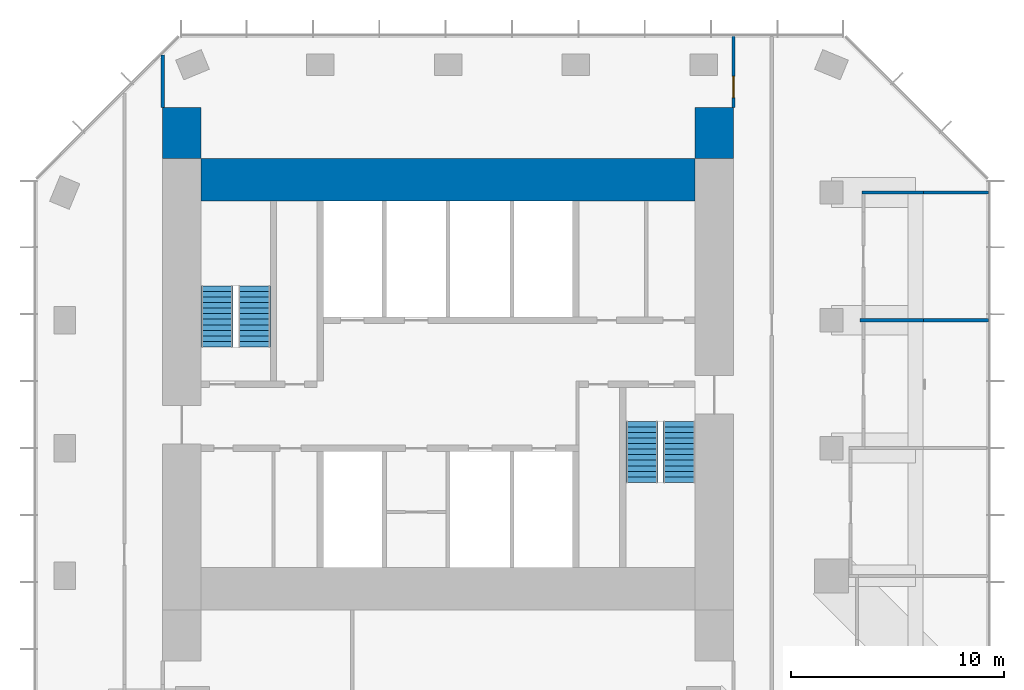
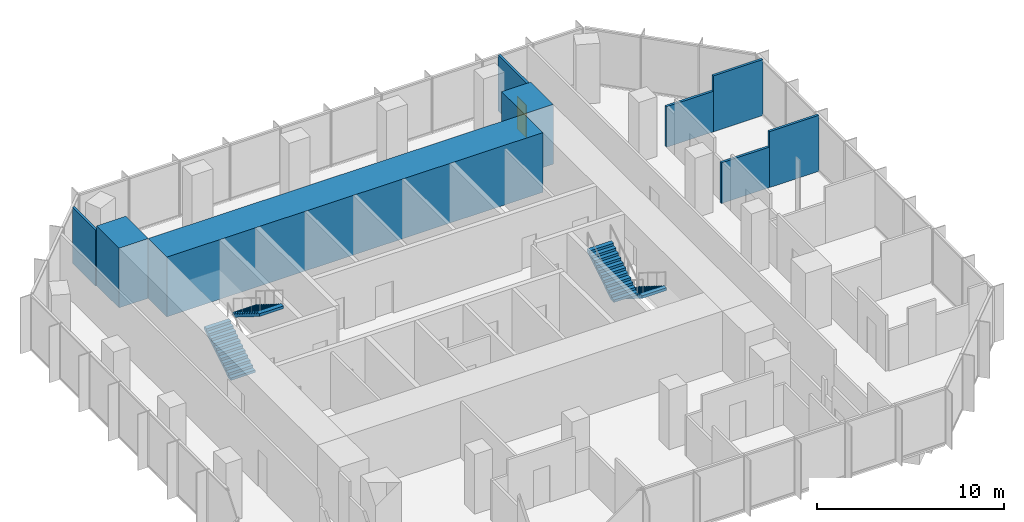
# One storey, part 10 of 11: 9 walls, 4 stair flights, 1 door, 1 opening, 2 elements without a shape of their own.
"""IFC4 building model written with IfcOpenShell, lengths in metres."""

from ifc_helpers import new_model, si_unit, direction, frame, frame_2d, origin, place, context, subcontext, project, spatial, polyline, rectangle, outline, extrude, material, layer, layer_set, type_object, element, fill, aggregate, save


model = new_model("IFC4")

# Units and contexts
model_context = context("Model", 3, precision=1e-05, world=origin(), true_north=direction((0.0, 1.0)))
body_context = subcontext(model_context, "Body", "Model", "MODEL_VIEW")
ifc_project = project(units=[si_unit("LENGTHUNIT", "METRE"), si_unit("AREAUNIT", "SQUARE_METRE"), si_unit("VOLUMEUNIT", "CUBIC_METRE"), si_unit("PLANEANGLEUNIT", "RADIAN"), si_unit("MASSUNIT", "GRAM", prefix="KILO")], contexts=[model_context])

# Site, building, storey
site_placement = place(None, origin())
site = spatial("IfcSite", under=ifc_project, at=site_placement, CompositionType="ELEMENT")
building_placement = place(site_placement, origin())
building = spatial("IfcBuilding", under=site, at=building_placement, Name="Highveld Stack Headquarters", CompositionType="ELEMENT")
storey_placement = place(building_placement, frame((0.0, 0.0, 291.800048828125)))
storey = spatial("IfcBuildingStorey", under=building, at=storey_placement, Name="L72", CompositionType="ELEMENT", Elevation=291.800048828125)

# Walls
ifc_material_1 = material(Name="Concrete C60/75", Category="concrete")
ifc_layer_1 = layer(ifc_material_1, 2.0)
ifc_layer_set_1 = layer_set([ifc_layer_1], Name="Concrete C60/75")
wall_type_1 = type_object("IfcWallType", Name="CORE WALL 2000 C60/75", PredefinedType="SHEAR", material=ifc_layer_set_1)
wall_1_placement = place(storey_placement, frame((-5.60009765625, 12.60009765625, 0.0), z_axis=(0.0, 0.0, 1.0), x_axis=(1.0, 0.0, 0.0)))
element("IfcWall", 1, at=wall_1_placement, inside=storey, type_object=wall_type_1, Name="Core wall N L72", PredefinedType="SHEAR", context=body_context, shape_type="SweptSolid", body=[
    extrude(rectangle(XDim=23.2001953125, YDim=2.0, at=frame_2d((11.60009765625, 0.0))), origin(), (0.0, 0.0, 1.0), 3.89990234375),
])
ifc_material_2 = material(Name="Concrete C60/75", Category="concrete")
ifc_layer_2 = layer(ifc_material_2, 1.800048828125)
ifc_layer_set_2 = layer_set([ifc_layer_2], Name="Concrete C60/75")
wall_type_2 = type_object("IfcWallType", Name="CORE WING WALL 1800 C60/75", PredefinedType="SHEAR", material=ifc_layer_set_2)
for number, where, z_axis, x_axis, name in (
    (2, (-6.5, 13.60009765625, 0.0), (0.0, 0.0, 1.0), (0.0, 1.0, 0.0), "Core wing wall WN L72"),
    (3, (18.5, 13.60009765625, 0.0), (0.0, 0.0, 1.0), (0.0, 1.0, 0.0), "Core wing wall EN L72"),
):
    element("IfcWall", number, at=place(storey_placement, frame(where, z_axis=z_axis, x_axis=x_axis)), inside=storey, type_object=wall_type_2, Name=name, PredefinedType="SHEAR", context=body_context, shape_type="SweptSolid", body=[
        extrude(rectangle(XDim=2.39990234375, YDim=1.800048828125, at=frame_2d((1.199951171875, 0.0))), origin(), (0.0, 0.0, 1.0), 3.89990234375),
    ])
ifc_material_3 = material(Name="Gypsum plasterboard on steel studs", Category="steel")
ifc_layer_3 = layer(ifc_material_3, 0.14990234375)
ifc_layer_set_3 = layer_set([ifc_layer_3], Name="Gypsum plasterboard on steel studs")
wall_type_3 = type_object("IfcWallType", Name="PARTITION 150 PLASTERBOARD", PredefinedType="PARTITIONING", material=ifc_layer_set_3)
wall_2_placement = place(storey_placement, frame((25.35009765625, 6.0, 0.0), z_axis=(0.0, 0.0, 1.0), x_axis=(1.0, 0.0, 0.0)))
element("IfcWall", 4, at=wall_2_placement, inside=storey, type_object=wall_type_3, Name="Partition Quiet room L72", PredefinedType="PARTITIONING", context=body_context, shape_type="SweptSolid", body=[
    extrude(rectangle(XDim=2.9599609375, YDim=0.14990234375, at=frame_2d((1.47998046875, 0.0))), origin(), (0.0, 0.0, 1.0), 2.64990234375),
])
wall_3_placement = place(storey_placement, frame((28.31005859375, 6.0, 0.0), z_axis=(0.0, 0.0, 1.0), x_axis=(1.0, 0.0, 0.0)))
element("IfcWall", 5, at=wall_3_placement, inside=storey, type_object=wall_type_3, Name="Partition Quiet room L72", PredefinedType="PARTITIONING", context=body_context, shape_type="SweptSolid", body=[
    extrude(rectangle(XDim=3.06494140625, YDim=0.14990234375, at=frame_2d((1.532470703125, 0.0))), origin(), (0.0, 0.0, 1.0), 3.64990234375),
])
wall_4_placement = place(storey_placement, frame((25.425048828125, 12.0, 0.0), z_axis=(0.0, 0.0, 1.0), x_axis=(1.0, 0.0, 0.0)))
element("IfcWall", 6, at=wall_4_placement, inside=storey, type_object=wall_type_3, Name="Partition Quiet room L72", PredefinedType="PARTITIONING", context=body_context, shape_type="SweptSolid", body=[
    extrude(rectangle(XDim=2.885009765625, YDim=0.14990234375, at=frame_2d((1.4423828125, 0.0))), origin(), (0.0, 0.0, 1.0), 2.64990234375),
])
wall_5_placement = place(storey_placement, frame((28.31005859375, 12.0, 0.0), z_axis=(0.0, 0.0, 1.0), x_axis=(1.0, 0.0, 0.0)))
element("IfcWall", 7, at=wall_5_placement, inside=storey, type_object=wall_type_3, Name="Partition Quiet room L72", PredefinedType="PARTITIONING", context=body_context, shape_type="SweptSolid", body=[
    extrude(rectangle(XDim=3.06494140625, YDim=0.14990234375, at=frame_2d((1.532470703125, 0.0))), origin(), (0.0, 0.0, 1.0), 3.64990234375),
])
wall_6_placement = place(storey_placement, frame((-7.39990234375, 16.0, 0.0), z_axis=(0.0, 0.0, 1.0), x_axis=(0.0, 1.0, 0.0)))
element("IfcWall", 8, at=wall_6_placement, inside=storey, type_object=wall_type_3, Name="Partition office neighbourhood L72", PredefinedType="PARTITIONING", context=body_context, shape_type="SweptSolid", body=[
    extrude(rectangle(XDim=2.464111328125, YDim=0.14990234375, at=frame_2d((1.23193359375, 0.0))), origin(), (0.0, 0.0, 1.0), 3.64990234375),
])

# Wall, opening, door
wall_7_placement = place(storey_placement, frame((19.39990234375, 16.0, 0.0), z_axis=(0.0, 0.0, 1.0), x_axis=(0.0, 1.0, 0.0)))
wall_7 = element("IfcWall", 9, at=wall_7_placement, inside=storey, type_object=wall_type_3, Name="Partition office neighbourhood L72", PredefinedType="PARTITIONING", context=body_context, shape_type="SweptSolid", body=[
    extrude(rectangle(XDim=3.375, YDim=0.14990234375, at=frame_2d((1.6875, 0.0))), origin(), (0.0, 0.0, 1.0), 3.64990234375),
])
opening_placement = place(wall_7_placement, frame((0.449951171875, 0.0, 0.0)))
opening = element("IfcOpeningElement", 10, at=opening_placement, cuts=wall_7, Name="Opening L72-23", PredefinedType="OPENING", context=body_context, shape_type="SweptSolid", body=[
    extrude(rectangle(XDim=1.0, YDim=2.10009765625, at=frame_2d((0.5, 1.050048828125))), frame((0.0, 0.0849609375, 0.0), z_axis=(0.0, -1.0, 0.0), x_axis=(1.0, 0.0, 0.0)), (0.0, 0.0, 1.0), 0.169921875),
])
ifc_material_4 = material(Name="Timber door, oiled ash", Category="wood")
door_type = type_object("IfcDoorType", Name="ROOM DOOR D6 1000x2100", OperationType="SINGLE_SWING_LEFT", PredefinedType="DOOR", material=ifc_material_4)
door_placement = place(opening_placement, origin())
door = element("IfcDoor", 11, at=door_placement, inside=storey, type_object=door_type, Name="Office neighbourhood door L72", OperationType="SINGLE_SWING_LEFT", OverallHeight=2.10009765625, OverallWidth=1.0, PredefinedType="DOOR", context=body_context, shape_type="SweptSolid", body=[
    extrude(rectangle(XDim=1.0, YDim=2.10009765625, at=frame_2d((0.5, 1.050048828125))), frame((0.0, 0.02490234375, 0.0), z_axis=(0.0, -1.0, 0.0), x_axis=(1.0, 0.0, 0.0)), (0.0, 0.0, 1.0), 0.050048828125),
])
fill(opening, door)

# Stair, stair flights
ifc_material_5 = material(Name="Concrete C40/50, precast", Category="concrete")
stair_type_1 = type_object("IfcStairType", Name="STAIR S1 HALF TURN 1500", PredefinedType="HALF_TURN_STAIR", material=ifc_material_5)
stair_1_placement = place(storey_placement, origin())
stair_1 = element("IfcStair", 12, at=stair_1_placement, inside=storey, type_object=stair_type_1, Name="Stair S1 L72", PredefinedType="HALF_TURN_STAIR")
ifc_material_6 = material(Name="Concrete C40/50, precast", Category="concrete")
stair_flight_type = type_object("IfcStairFlightType", Name="STAIR FLIGHT 1500 PRECAST", PredefinedType="STRAIGHT", material=ifc_material_6)
stair_flight_1_placement = place(storey_placement, frame((-4.85009765625, 4.75, 0.0), z_axis=(0.0, 0.0, 1.0), x_axis=(0.0, 1.0, 0.0)))
stair_flight_1 = element("IfcStairFlight", 13, at=stair_flight_1_placement, type_object=stair_flight_type, Name="S1 flight 1", NumberOfRisers=12, NumberOfTreads=11, PredefinedType="STRAIGHT", RiserHeight=0.1625, TreadLength=0.26, context=body_context, shape_type="SweptSolid", body=[
    extrude(outline(polyline([(0.0, 0.0), (0.0, 0.16259765625), (0.260009765625, 0.16259765625), (0.260009765625, 0.324951171875), (0.52001953125, 0.324951171875), (0.52001953125, 0.487548828125), (0.780029296875, 0.487548828125), (0.780029296875, 0.64990234375), (1.0400390625, 0.64990234375), (1.0400390625, 0.8125), (1.300048828125, 0.8125), (1.300048828125, 0.97509765625), (1.56005859375, 0.97509765625), (1.56005859375, 1.137451171875), (1.820068359375, 1.137451171875), (1.820068359375, 1.300048828125), (2.080078125, 1.300048828125), (2.080078125, 1.46240234375), (2.340087890625, 1.46240234375), (2.340087890625, 1.625), (2.60009765625, 1.625), (2.60009765625, 1.78759765625), (2.860107421875, 1.78759765625), (2.860107421875, 1.949951171875), (2.860107421875, 1.61083984375), (0.28271484375, 0.0), (0.0, 0.0)])), frame((0.0, 0.75, 0.0), z_axis=(0.0, -1.0, 0.0), x_axis=(1.0, 0.0, 0.0)), (0.0, 0.0, 1.0), 1.5),
])
stair_flight_2_placement = place(storey_placement, frame((-3.10009765625, 7.610107421875, 1.949951171875), z_axis=(0.0, 0.0, 1.0), x_axis=(0.0, -1.0, 0.0)))
stair_flight_2 = element("IfcStairFlight", 14, at=stair_flight_2_placement, type_object=stair_flight_type, Name="S1 flight 2", NumberOfRisers=12, NumberOfTreads=11, PredefinedType="STRAIGHT", RiserHeight=0.1625, TreadLength=0.26, context=body_context, shape_type="SweptSolid", body=[
    extrude(outline(polyline([(0.0, 0.0), (0.0, 0.16259765625), (0.260009765625, 0.16259765625), (0.260009765625, 0.324951171875), (0.52001953125, 0.324951171875), (0.52001953125, 0.487548828125), (0.780029296875, 0.487548828125), (0.780029296875, 0.64990234375), (1.0400390625, 0.64990234375), (1.0400390625, 0.8125), (1.300048828125, 0.8125), (1.300048828125, 0.97509765625), (1.56005859375, 0.97509765625), (1.56005859375, 1.137451171875), (1.820068359375, 1.137451171875), (1.820068359375, 1.300048828125), (2.080078125, 1.300048828125), (2.080078125, 1.46240234375), (2.340087890625, 1.46240234375), (2.340087890625, 1.625), (2.60009765625, 1.625), (2.60009765625, 1.78759765625), (2.860107421875, 1.78759765625), (2.860107421875, 1.949951171875), (2.860107421875, 1.61083984375), (0.28271484375, 0.0), (0.0, 0.0)])), frame((0.0, 0.75, 0.0), z_axis=(0.0, -1.0, 0.0), x_axis=(1.0, 0.0, 0.0)), (0.0, 0.0, 1.0), 1.5),
])
aggregate(stair_1, [stair_flight_1, stair_flight_2])

ifc_material_7 = material(Name="Concrete C40/50, precast", Category="concrete")
stair_type_2 = type_object("IfcStairType", Name="STAIR S2 HALF TURN 1500", PredefinedType="HALF_TURN_STAIR", material=ifc_material_7)
stair_2_placement = place(storey_placement, origin())
stair_2 = element("IfcStair", 15, at=stair_2_placement, inside=storey, type_object=stair_type_2, Name="Stair S2 L72", PredefinedType="HALF_TURN_STAIR")
stair_flight_3_placement = place(storey_placement, frame((16.85009765625, 1.25, 0.0), z_axis=(0.0, 0.0, 1.0), x_axis=(0.0, -1.0, 0.0)))
stair_flight_3 = element("IfcStairFlight", 16, at=stair_flight_3_placement, type_object=stair_flight_type, Name="S2 flight 1", NumberOfRisers=12, NumberOfTreads=11, PredefinedType="STRAIGHT", RiserHeight=0.1625, TreadLength=0.26, context=body_context, shape_type="SweptSolid", body=[
    extrude(outline(polyline([(0.0, 0.0), (0.0, 0.16259765625), (0.260009765625, 0.16259765625), (0.260009765625, 0.324951171875), (0.52001953125, 0.324951171875), (0.52001953125, 0.487548828125), (0.780029296875, 0.487548828125), (0.780029296875, 0.64990234375), (1.0400390625, 0.64990234375), (1.0400390625, 0.8125), (1.300048828125, 0.8125), (1.300048828125, 0.97509765625), (1.56005859375, 0.97509765625), (1.56005859375, 1.137451171875), (1.820068359375, 1.137451171875), (1.820068359375, 1.300048828125), (2.080078125, 1.300048828125), (2.080078125, 1.46240234375), (2.340087890625, 1.46240234375), (2.340087890625, 1.625), (2.60009765625, 1.625), (2.60009765625, 1.78759765625), (2.860107421875, 1.78759765625), (2.860107421875, 1.949951171875), (2.860107421875, 1.61083984375), (0.28271484375, 0.0), (0.0, 0.0)])), frame((0.0, 0.75, 0.0), z_axis=(0.0, -1.0, 0.0), x_axis=(1.0, 0.0, 0.0)), (0.0, 0.0, 1.0), 1.5),
])
stair_flight_4_placement = place(storey_placement, frame((15.10009765625, -1.610107421875, 1.949951171875), z_axis=(0.0, 0.0, 1.0), x_axis=(0.0, 1.0, 0.0)))
stair_flight_4 = element("IfcStairFlight", 17, at=stair_flight_4_placement, type_object=stair_flight_type, Name="S2 flight 2", NumberOfRisers=12, NumberOfTreads=11, PredefinedType="STRAIGHT", RiserHeight=0.1625, TreadLength=0.26, context=body_context, shape_type="SweptSolid", body=[
    extrude(outline(polyline([(0.0, 0.0), (0.0, 0.16259765625), (0.260009765625, 0.16259765625), (0.260009765625, 0.324951171875), (0.52001953125, 0.324951171875), (0.52001953125, 0.487548828125), (0.780029296875, 0.487548828125), (0.780029296875, 0.64990234375), (1.0400390625, 0.64990234375), (1.0400390625, 0.8125), (1.300048828125, 0.8125), (1.300048828125, 0.97509765625), (1.56005859375, 0.97509765625), (1.56005859375, 1.137451171875), (1.820068359375, 1.137451171875), (1.820068359375, 1.300048828125), (2.080078125, 1.300048828125), (2.080078125, 1.46240234375), (2.340087890625, 1.46240234375), (2.340087890625, 1.625), (2.60009765625, 1.625), (2.60009765625, 1.78759765625), (2.860107421875, 1.78759765625), (2.860107421875, 1.949951171875), (2.860107421875, 1.61083984375), (0.28271484375, 0.0), (0.0, 0.0)])), frame((0.0, 0.75, 0.0), z_axis=(0.0, -1.0, 0.0), x_axis=(1.0, 0.0, 0.0)), (0.0, 0.0, 1.0), 1.5),
])
aggregate(stair_2, [stair_flight_3, stair_flight_4])

save(model, "model.ifc")
